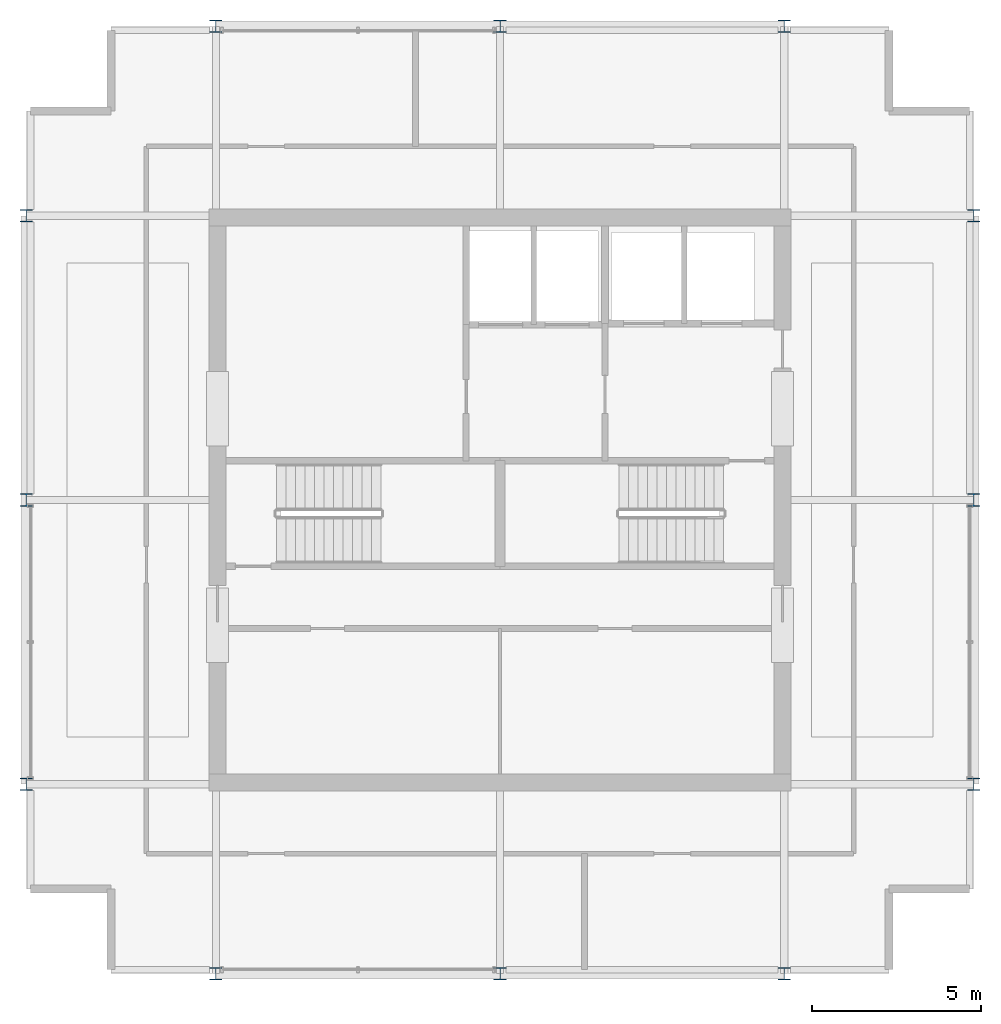
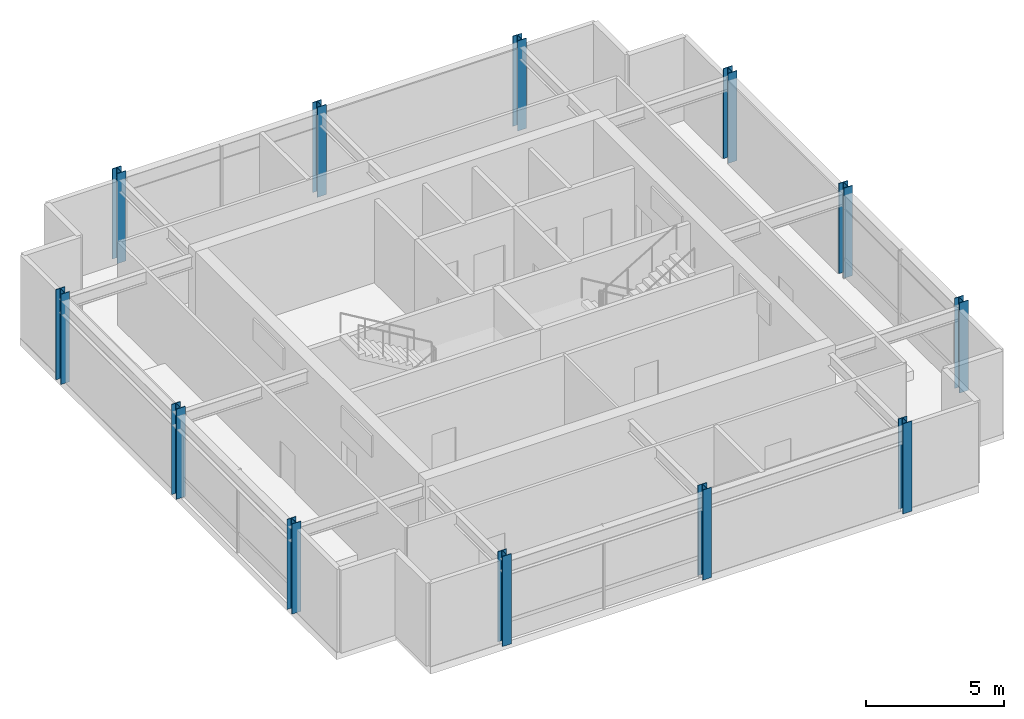
# One storey, part 1 of 12: 12 columns.
"""IFC4 building model written with IfcOpenShell, lengths in metres."""

from ifc_helpers import new_model, si_unit, direction, frame, origin, origin_2d, place, context, subcontext, project, spatial, i_section, extrude, material, material_profile, profile_set, type_object, element, save


model = new_model("IFC4")

# Units and contexts
model_context = context("Model", 3, precision=1e-05, world=origin(), true_north=direction((0.0, 1.0)))
body_context = subcontext(model_context, "Body", "Model", "MODEL_VIEW")
ifc_project = project(units=[si_unit("LENGTHUNIT", "METRE"), si_unit("AREAUNIT", "SQUARE_METRE"), si_unit("VOLUMEUNIT", "CUBIC_METRE"), si_unit("PLANEANGLEUNIT", "RADIAN"), si_unit("MASSUNIT", "GRAM", prefix="KILO")], contexts=[model_context])

# Site, building, storey
site_placement = place(None, origin())
site = spatial("IfcSite", under=ifc_project, at=site_placement, CompositionType="ELEMENT")
building_placement = place(site_placement, origin())
building = spatial("IfcBuilding", under=site, at=building_placement, Name="Drelvath Grand Hotel", CompositionType="ELEMENT")
storey_placement = place(building_placement, frame((0.0, 0.0, 315.39990234375)))
storey = spatial("IfcBuildingStorey", under=building, at=storey_placement, Name="L82", CompositionType="ELEMENT", Elevation=315.39990234375)

# Columns
ifc_material = material(Name="Steel ASTM A913 Gr 65", Category="steel")
ifc_material_profile = material_profile(ifc_material, i_section(OverallWidth=0.3740234375, OverallDepth=0.372314453125, WebThickness=0.016357421875, FlangeThickness=0.026123046875, FilletRadius=0.02490234375, at=origin_2d()), Name="W14X132")
ifc_profile_set = profile_set([ifc_material_profile], Name="Steel ASTM A913 Gr 65")
column_type = type_object("IfcColumnType", Name="Perimeter Steel Column W14X132", PredefinedType="COLUMN", material=ifc_profile_set)
for number, where, z_axis, x_axis, name in (
    (1, (-14.0, 18.60009765625, 0.0), (0.0, 0.0, 1.0), (1.0, 0.0, 0.0), "L82 Structural Column DC-W1"),
    (2, (-14.0, 27.0, 0.0), (0.0, 0.0, 1.0), (1.0, 0.0, 0.0), "L82 Structural Column DC-W2"),
    (3, (-14.0, 35.39990234375, 0.0), (0.0, 0.0, 1.0), (1.0, 0.0, 0.0), "L82 Structural Column DC-W3"),
    (4, (14.0, 18.60009765625, 0.0), (0.0, 0.0, 1.0), (1.0, 0.0, 0.0), "L82 Structural Column DC-E1"),
    (5, (14.0, 27.0, 0.0), (0.0, 0.0, 1.0), (1.0, 0.0, 0.0), "L82 Structural Column DC-E2"),
    (6, (14.0, 35.39990234375, 0.0), (0.0, 0.0, 1.0), (1.0, 0.0, 0.0), "L82 Structural Column DC-E3"),
    (7, (-8.39990234375, 13.0, 0.0), (0.0, 0.0, 1.0), (1.0, 0.0, 0.0), "L82 Structural Column DC-S1"),
    (8, (0.0, 13.0, 0.0), (0.0, 0.0, 1.0), (1.0, 0.0, 0.0), "L82 Structural Column DC-S2"),
    (9, (8.39990234375, 13.0, 0.0), (0.0, 0.0, 1.0), (1.0, 0.0, 0.0), "L82 Structural Column DC-S3"),
    (10, (-8.39990234375, 41.0, 0.0), (0.0, 0.0, 1.0), (1.0, 0.0, 0.0), "L82 Structural Column DC-N1"),
    (11, (0.0, 41.0, 0.0), (0.0, 0.0, 1.0), (1.0, 0.0, 0.0), "L82 Structural Column DC-N2"),
    (12, (8.39990234375, 41.0, 0.0), (0.0, 0.0, 1.0), (1.0, 0.0, 0.0), "L82 Structural Column DC-N3"),
):
    element("IfcColumn", number, at=place(storey_placement, frame(where, z_axis=z_axis, x_axis=x_axis)), inside=storey, type_object=column_type, Name=name, PredefinedType="COLUMN", context=body_context, shape_type="SweptSolid", body=[
        extrude(i_section(OverallWidth=0.3740234375, OverallDepth=0.372314453125, WebThickness=0.016357421875, FlangeThickness=0.026123046875, FilletRadius=0.02490234375, at=origin_2d()), origin(), (0.0, 0.0, 1.0), 3.9970703125),
    ])

save(model, "model.ifc")
